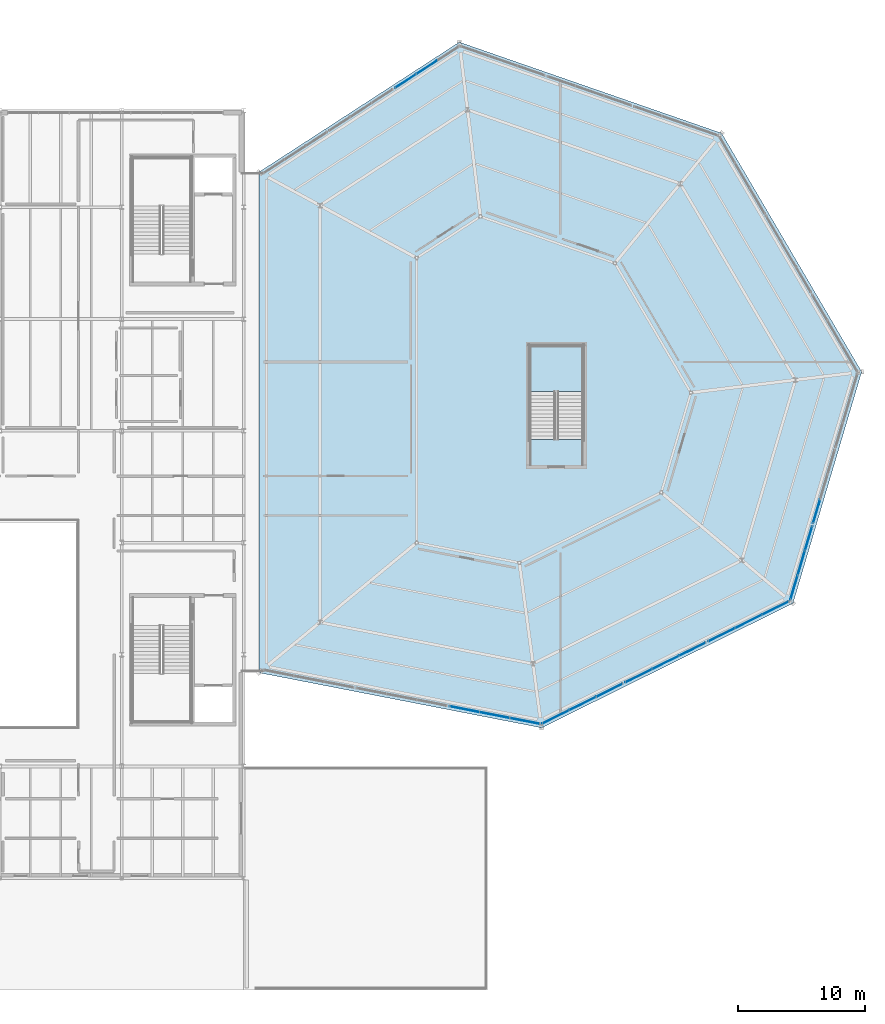
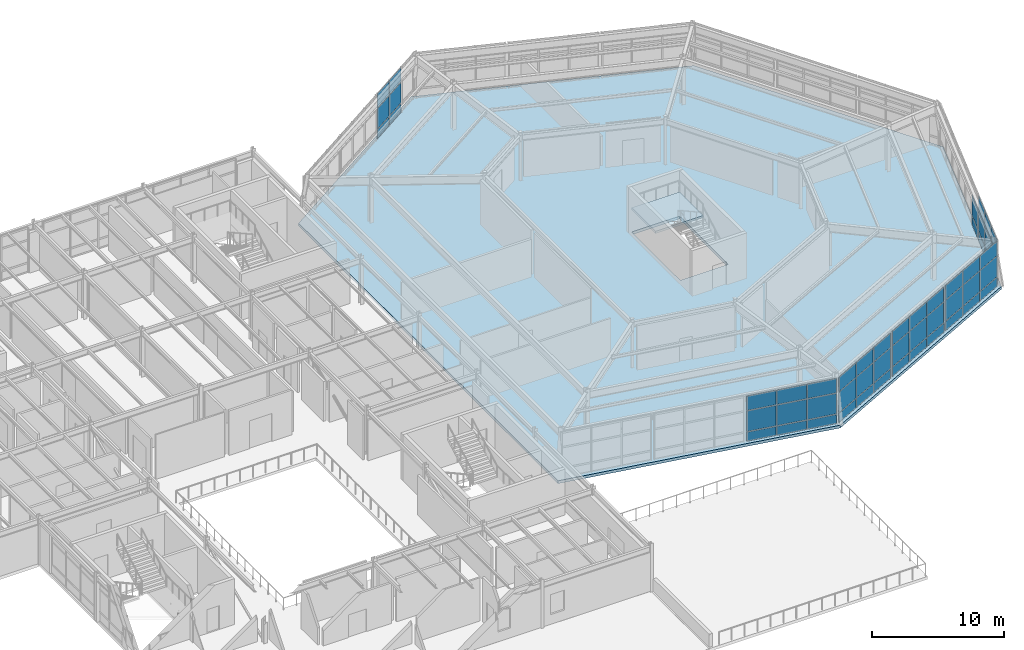
# One storey, part 42 of 69: 53 plates, 2 slabs, 8 elements without a shape of their own.
"""IFC4 building model written with IfcOpenShell, lengths in metres."""

from ifc_helpers import new_model, si_unit, direction, frame, origin, origin_2d, place, context, subcontext, project, spatial, polyline, rectangle, outline, extrude, material, layer, layer_set, type_object, element, aggregate, save


model = new_model("IFC4")

# Units and contexts
model_context = context("Model", 3, precision=1e-05, world=origin(), true_north=direction((0.0, 1.0)))
body_context = subcontext(model_context, "Body", "Model", "MODEL_VIEW")
ifc_project = project(units=[si_unit("LENGTHUNIT", "METRE"), si_unit("AREAUNIT", "SQUARE_METRE"), si_unit("VOLUMEUNIT", "CUBIC_METRE"), si_unit("PLANEANGLEUNIT", "RADIAN"), si_unit("MASSUNIT", "GRAM", prefix="KILO")], contexts=[model_context])

# Site, building, storey
site_placement = place(None, origin())
site = spatial("IfcSite", under=ifc_project, at=site_placement, CompositionType="ELEMENT")
building_placement = place(site_placement, origin())
building = spatial("IfcBuilding", under=site, at=building_placement, Name="Sarnbrook Museum", CompositionType="ELEMENT")
storey_placement = place(building_placement, frame((0.0, 0.0, 14.60009765625)))
storey = spatial("IfcBuildingStorey", under=building, at=storey_placement, Name="L03", CompositionType="ELEMENT", Elevation=14.60009765625)

# Curtain wall, plates
ifc_material_1 = material(Name="Thermally Broken Anodised Aluminium 6063-T6", Category="aluminium")
curtain_wall_type = type_object("IfcCurtainWallType", Name="CurtainWall_CrystalFacet", PredefinedType="NOTDEFINED", material=ifc_material_1)
curtain_wall_1_placement = place(storey_placement, origin())
curtain_wall_1 = element("IfcCurtainWall", 1, at=curtain_wall_1_placement, inside=storey, type_object=curtain_wall_type, Name="Crystal Hall Facet Curtain Wall L03-F1.3", PredefinedType="NOTDEFINED")
ifc_material_2 = material(Name="Double-Glazed Low-Iron Laminated Safety Glass", Category="glass")
ifc_layer_1 = layer(ifc_material_2, 0.031982421875)
ifc_layer_set_1 = layer_set([ifc_layer_1], Name="Double-Glazed Low-Iron Laminated Safety Glass")
plate_type_1 = type_object("IfcPlateType", Name="CW_GlazedPanel_32", PredefinedType="CURTAIN_PANEL", material=ifc_layer_set_1)
plate_1_placement = place(storey_placement, frame((136.556396484375, 61.316650390625, 1.875), z_axis=(-0.191314442097, -0.981528799499, 0.0), x_axis=(0.981528799499, -0.191314442097, 0.0)))
plate_1 = element("IfcPlate", 2, at=plate_1_placement, type_object=plate_type_1, Name="Crystal Hall Facet Curtain Wall L03-F1.3 Glazed Panel 1-2", PredefinedType="CURTAIN_PANEL", context=body_context, shape_type="SweptSolid", body=[
    extrude(rectangle(XDim=2.354248046875, YDim=1.8798828125, at=origin_2d()), origin(), (0.0, 0.0, 1.0), 0.031982421875),
])
plate_2_placement = place(storey_placement, frame((136.556396484375, 61.316650390625, 3.544921875), z_axis=(-0.191314442097, -0.981528799499, 0.0), x_axis=(0.981528799499, -0.191314442097, 0.0)))
plate_2 = element("IfcPlate", 3, at=plate_2_placement, type_object=plate_type_1, Name="Crystal Hall Facet Curtain Wall L03-F1.3 Glazed Panel 1-3", PredefinedType="CURTAIN_PANEL", context=body_context, shape_type="SweptSolid", body=[
    extrude(rectangle(XDim=2.354248046875, YDim=1.320068359375, at=origin_2d()), origin(), (0.0, 0.0, 1.0), 0.031982421875),
])
plate_3_placement = place(storey_placement, frame((138.940673828125, 60.851806640625, 1.875), z_axis=(-0.191314442097, -0.981528799499, 0.0), x_axis=(0.981528799499, -0.191314442097, 0.0)))
plate_3 = element("IfcPlate", 4, at=plate_3_placement, type_object=plate_type_1, Name="Crystal Hall Facet Curtain Wall L03-F1.3 Glazed Panel 2-2", PredefinedType="CURTAIN_PANEL", context=body_context, shape_type="SweptSolid", body=[
    extrude(rectangle(XDim=2.354248046875, YDim=1.8798828125, at=origin_2d()), origin(), (0.0, 0.0, 1.0), 0.031982421875),
])
plate_4_placement = place(storey_placement, frame((138.940673828125, 60.851806640625, 3.544921875), z_axis=(-0.191314442097, -0.981528799499, 0.0), x_axis=(0.981528799499, -0.191314442097, 0.0)))
plate_4 = element("IfcPlate", 5, at=plate_4_placement, type_object=plate_type_1, Name="Crystal Hall Facet Curtain Wall L03-F1.3 Glazed Panel 2-3", PredefinedType="CURTAIN_PANEL", context=body_context, shape_type="SweptSolid", body=[
    extrude(rectangle(XDim=2.354248046875, YDim=1.320068359375, at=origin_2d()), origin(), (0.0, 0.0, 1.0), 0.031982421875),
])
plate_5_placement = place(storey_placement, frame((141.3251953125, 60.38720703125, 1.875), z_axis=(-0.191314442097, -0.981528799499, 0.0), x_axis=(0.981528799499, -0.191314442097, 0.0)))
plate_5 = element("IfcPlate", 6, at=plate_5_placement, type_object=plate_type_1, Name="Crystal Hall Facet Curtain Wall L03-F1.3 Glazed Panel 3-2", PredefinedType="CURTAIN_PANEL", context=body_context, shape_type="SweptSolid", body=[
    extrude(rectangle(XDim=2.354248046875, YDim=1.8798828125, at=origin_2d()), origin(), (0.0, 0.0, 1.0), 0.031982421875),
])
plate_6_placement = place(storey_placement, frame((141.3251953125, 60.38720703125, 3.544921875), z_axis=(-0.191314442097, -0.981528799499, 0.0), x_axis=(0.981528799499, -0.191314442097, 0.0)))
plate_6 = element("IfcPlate", 7, at=plate_6_placement, type_object=plate_type_1, Name="Crystal Hall Facet Curtain Wall L03-F1.3 Glazed Panel 3-3", PredefinedType="CURTAIN_PANEL", context=body_context, shape_type="SweptSolid", body=[
    extrude(rectangle(XDim=2.354248046875, YDim=1.320068359375, at=origin_2d()), origin(), (0.0, 0.0, 1.0), 0.031982421875),
])

curtain_wall_2_placement = place(storey_placement, origin())
curtain_wall_2 = element("IfcCurtainWall", 8, at=curtain_wall_2_placement, inside=storey, type_object=curtain_wall_type, Name="Crystal Hall Facet Curtain Wall L03-F2.1", PredefinedType="NOTDEFINED")
plate_7_placement = place(storey_placement, frame((143.726318359375, 60.701416015625, 1.875), z_axis=(0.443730652987, -0.896160201973, 0.0), x_axis=(0.896160201973, 0.443730652987, 0.0)))
plate_7 = element("IfcPlate", 9, at=plate_7_placement, type_object=plate_type_1, Name="Crystal Hall Facet Curtain Wall L03-F2.1 Glazed Panel 1-2", PredefinedType="CURTAIN_PANEL", context=body_context, shape_type="SweptSolid", body=[
    extrude(rectangle(XDim=2.2998046875, YDim=1.8798828125, at=origin_2d()), origin(), (0.0, 0.0, 1.0), 0.031982421875),
])
plate_8_placement = place(storey_placement, frame((143.726318359375, 60.701416015625, 3.544921875), z_axis=(0.443730652987, -0.896160201973, 0.0), x_axis=(0.896160201973, 0.443730652987, 0.0)))
plate_8 = element("IfcPlate", 10, at=plate_8_placement, type_object=plate_type_1, Name="Crystal Hall Facet Curtain Wall L03-F2.1 Glazed Panel 1-3", PredefinedType="CURTAIN_PANEL", context=body_context, shape_type="SweptSolid", body=[
    extrude(rectangle(XDim=2.2998046875, YDim=1.320068359375, at=origin_2d()), origin(), (0.0, 0.0, 1.0), 0.031982421875),
])
plate_9_placement = place(storey_placement, frame((145.854736328125, 61.755126953125, 1.875), z_axis=(0.443730652987, -0.896160201973, 0.0), x_axis=(0.896160201973, 0.443730652987, 0.0)))
plate_9 = element("IfcPlate", 11, at=plate_9_placement, type_object=plate_type_1, Name="Crystal Hall Facet Curtain Wall L03-F2.1 Glazed Panel 2-2", PredefinedType="CURTAIN_PANEL", context=body_context, shape_type="SweptSolid", body=[
    extrude(rectangle(XDim=2.2998046875, YDim=1.8798828125, at=origin_2d()), origin(), (0.0, 0.0, 1.0), 0.031982421875),
])
plate_10_placement = place(storey_placement, frame((145.854736328125, 61.755126953125, 3.544921875), z_axis=(0.443730652987, -0.896160201973, 0.0), x_axis=(0.896160201973, 0.443730652987, 0.0)))
plate_10 = element("IfcPlate", 12, at=plate_10_placement, type_object=plate_type_1, Name="Crystal Hall Facet Curtain Wall L03-F2.1 Glazed Panel 2-3", PredefinedType="CURTAIN_PANEL", context=body_context, shape_type="SweptSolid", body=[
    extrude(rectangle(XDim=2.2998046875, YDim=1.320068359375, at=origin_2d()), origin(), (0.0, 0.0, 1.0), 0.031982421875),
])
plate_11_placement = place(storey_placement, frame((147.98291015625, 62.808837890625, 1.875), z_axis=(0.443730652987, -0.896160201973, 0.0), x_axis=(0.896160201973, 0.443730652987, 0.0)))
plate_11 = element("IfcPlate", 13, at=plate_11_placement, type_object=plate_type_1, Name="Crystal Hall Facet Curtain Wall L03-F2.1 Glazed Panel 3-2", PredefinedType="CURTAIN_PANEL", context=body_context, shape_type="SweptSolid", body=[
    extrude(rectangle(XDim=2.2998046875, YDim=1.8798828125, at=origin_2d()), origin(), (0.0, 0.0, 1.0), 0.031982421875),
])
plate_12_placement = place(storey_placement, frame((147.98291015625, 62.808837890625, 3.544921875), z_axis=(0.443730652987, -0.896160201973, 0.0), x_axis=(0.896160201973, 0.443730652987, 0.0)))
plate_12 = element("IfcPlate", 14, at=plate_12_placement, type_object=plate_type_1, Name="Crystal Hall Facet Curtain Wall L03-F2.1 Glazed Panel 3-3", PredefinedType="CURTAIN_PANEL", context=body_context, shape_type="SweptSolid", body=[
    extrude(rectangle(XDim=2.2998046875, YDim=1.320068359375, at=origin_2d()), origin(), (0.0, 0.0, 1.0), 0.031982421875),
])

curtain_wall_3_placement = place(storey_placement, origin())
curtain_wall_3 = element("IfcCurtainWall", 15, at=curtain_wall_3_placement, inside=storey, type_object=curtain_wall_type, Name="Crystal Hall Facet Curtain Wall L03-F2.2", PredefinedType="NOTDEFINED")
plate_13_placement = place(storey_placement, frame((150.25439453125, 63.93359375, 1.875), z_axis=(0.443730652987, -0.896160201973, 0.0), x_axis=(0.896160201973, 0.443730652987, 0.0)))
plate_13 = element("IfcPlate", 16, at=plate_13_placement, type_object=plate_type_1, Name="Crystal Hall Facet Curtain Wall L03-F2.2 Glazed Panel 1-2", PredefinedType="CURTAIN_PANEL", context=body_context, shape_type="SweptSolid", body=[
    extrude(rectangle(XDim=2.2998046875, YDim=1.8798828125, at=origin_2d()), origin(), (0.0, 0.0, 1.0), 0.031982421875),
])
plate_14_placement = place(storey_placement, frame((150.25439453125, 63.93359375, 3.544921875), z_axis=(0.443730652987, -0.896160201973, 0.0), x_axis=(0.896160201973, 0.443730652987, 0.0)))
plate_14 = element("IfcPlate", 17, at=plate_14_placement, type_object=plate_type_1, Name="Crystal Hall Facet Curtain Wall L03-F2.2 Glazed Panel 1-3", PredefinedType="CURTAIN_PANEL", context=body_context, shape_type="SweptSolid", body=[
    extrude(rectangle(XDim=2.2998046875, YDim=1.320068359375, at=origin_2d()), origin(), (0.0, 0.0, 1.0), 0.031982421875),
])
plate_15_placement = place(storey_placement, frame((152.382568359375, 64.9873046875, 1.875), z_axis=(0.443730652987, -0.896160201973, 0.0), x_axis=(0.896160201973, 0.443730652987, 0.0)))
plate_15 = element("IfcPlate", 18, at=plate_15_placement, type_object=plate_type_1, Name="Crystal Hall Facet Curtain Wall L03-F2.2 Glazed Panel 2-2", PredefinedType="CURTAIN_PANEL", context=body_context, shape_type="SweptSolid", body=[
    extrude(rectangle(XDim=2.2998046875, YDim=1.8798828125, at=origin_2d()), origin(), (0.0, 0.0, 1.0), 0.031982421875),
])
plate_16_placement = place(storey_placement, frame((152.382568359375, 64.9873046875, 3.544921875), z_axis=(0.443730652987, -0.896160201973, 0.0), x_axis=(0.896160201973, 0.443730652987, 0.0)))
plate_16 = element("IfcPlate", 19, at=plate_16_placement, type_object=plate_type_1, Name="Crystal Hall Facet Curtain Wall L03-F2.2 Glazed Panel 2-3", PredefinedType="CURTAIN_PANEL", context=body_context, shape_type="SweptSolid", body=[
    extrude(rectangle(XDim=2.2998046875, YDim=1.320068359375, at=origin_2d()), origin(), (0.0, 0.0, 1.0), 0.031982421875),
])
plate_17_placement = place(storey_placement, frame((154.5107421875, 66.041259765625, 1.875), z_axis=(0.443730652987, -0.896160201973, 0.0), x_axis=(0.896160201973, 0.443730652987, 0.0)))
plate_17 = element("IfcPlate", 20, at=plate_17_placement, type_object=plate_type_1, Name="Crystal Hall Facet Curtain Wall L03-F2.2 Glazed Panel 3-2", PredefinedType="CURTAIN_PANEL", context=body_context, shape_type="SweptSolid", body=[
    extrude(rectangle(XDim=2.2998046875, YDim=1.8798828125, at=origin_2d()), origin(), (0.0, 0.0, 1.0), 0.031982421875),
])
plate_18_placement = place(storey_placement, frame((154.5107421875, 66.041259765625, 3.544921875), z_axis=(0.443730652987, -0.896160201973, 0.0), x_axis=(0.896160201973, 0.443730652987, 0.0)))
plate_18 = element("IfcPlate", 21, at=plate_18_placement, type_object=plate_type_1, Name="Crystal Hall Facet Curtain Wall L03-F2.2 Glazed Panel 3-3", PredefinedType="CURTAIN_PANEL", context=body_context, shape_type="SweptSolid", body=[
    extrude(rectangle(XDim=2.2998046875, YDim=1.320068359375, at=origin_2d()), origin(), (0.0, 0.0, 1.0), 0.031982421875),
])

curtain_wall_4_placement = place(storey_placement, origin())
curtain_wall_4 = element("IfcCurtainWall", 22, at=curtain_wall_4_placement, inside=storey, type_object=curtain_wall_type, Name="Crystal Hall Facet Curtain Wall L03-F2.3", PredefinedType="NOTDEFINED")
plate_19_placement = place(storey_placement, frame((156.782470703125, 67.166015625, 1.875), z_axis=(0.443730652987, -0.896160201973, 0.0), x_axis=(0.896160201973, 0.443730652987, 0.0)))
plate_19 = element("IfcPlate", 23, at=plate_19_placement, type_object=plate_type_1, Name="Crystal Hall Facet Curtain Wall L03-F2.3 Glazed Panel 1-2", PredefinedType="CURTAIN_PANEL", context=body_context, shape_type="SweptSolid", body=[
    extrude(rectangle(XDim=2.2998046875, YDim=1.8798828125, at=origin_2d()), origin(), (0.0, 0.0, 1.0), 0.031982421875),
])
plate_20_placement = place(storey_placement, frame((156.782470703125, 67.166015625, 3.544921875), z_axis=(0.443730652987, -0.896160201973, 0.0), x_axis=(0.896160201973, 0.443730652987, 0.0)))
plate_20 = element("IfcPlate", 24, at=plate_20_placement, type_object=plate_type_1, Name="Crystal Hall Facet Curtain Wall L03-F2.3 Glazed Panel 1-3", PredefinedType="CURTAIN_PANEL", context=body_context, shape_type="SweptSolid", body=[
    extrude(rectangle(XDim=2.2998046875, YDim=1.320068359375, at=origin_2d()), origin(), (0.0, 0.0, 1.0), 0.031982421875),
])
plate_21_placement = place(storey_placement, frame((158.91064453125, 68.2197265625, 1.875), z_axis=(0.443730652987, -0.896160201973, 0.0), x_axis=(0.896160201973, 0.443730652987, 0.0)))
plate_21 = element("IfcPlate", 25, at=plate_21_placement, type_object=plate_type_1, Name="Crystal Hall Facet Curtain Wall L03-F2.3 Glazed Panel 2-2", PredefinedType="CURTAIN_PANEL", context=body_context, shape_type="SweptSolid", body=[
    extrude(rectangle(XDim=2.2998046875, YDim=1.8798828125, at=origin_2d()), origin(), (0.0, 0.0, 1.0), 0.031982421875),
])
plate_22_placement = place(storey_placement, frame((158.91064453125, 68.2197265625, 3.544921875), z_axis=(0.443730652987, -0.896160201973, 0.0), x_axis=(0.896160201973, 0.443730652987, 0.0)))
plate_22 = element("IfcPlate", 26, at=plate_22_placement, type_object=plate_type_1, Name="Crystal Hall Facet Curtain Wall L03-F2.3 Glazed Panel 2-3", PredefinedType="CURTAIN_PANEL", context=body_context, shape_type="SweptSolid", body=[
    extrude(rectangle(XDim=2.2998046875, YDim=1.320068359375, at=origin_2d()), origin(), (0.0, 0.0, 1.0), 0.031982421875),
])
plate_23_placement = place(storey_placement, frame((161.038818359375, 69.2734375, 1.875), z_axis=(0.443730652987, -0.896160201973, 0.0), x_axis=(0.896160201973, 0.443730652987, 0.0)))
plate_23 = element("IfcPlate", 27, at=plate_23_placement, type_object=plate_type_1, Name="Crystal Hall Facet Curtain Wall L03-F2.3 Glazed Panel 3-2", PredefinedType="CURTAIN_PANEL", context=body_context, shape_type="SweptSolid", body=[
    extrude(rectangle(XDim=2.2998046875, YDim=1.8798828125, at=origin_2d()), origin(), (0.0, 0.0, 1.0), 0.031982421875),
])
plate_24_placement = place(storey_placement, frame((161.038818359375, 69.2734375, 3.544921875), z_axis=(0.443730652987, -0.896160201973, 0.0), x_axis=(0.896160201973, 0.443730652987, 0.0)))
plate_24 = element("IfcPlate", 28, at=plate_24_placement, type_object=plate_type_1, Name="Crystal Hall Facet Curtain Wall L03-F2.3 Glazed Panel 3-3", PredefinedType="CURTAIN_PANEL", context=body_context, shape_type="SweptSolid", body=[
    extrude(rectangle(XDim=2.2998046875, YDim=1.320068359375, at=origin_2d()), origin(), (0.0, 0.0, 1.0), 0.031982421875),
])

curtain_wall_5_placement = place(storey_placement, origin())
curtain_wall_5 = element("IfcCurtainWall", 29, at=curtain_wall_5_placement, inside=storey, type_object=curtain_wall_type, Name="Crystal Hall Facet Curtain Wall L03-F3.1", PredefinedType="NOTDEFINED")
plate_25_placement = place(storey_placement, frame((162.482177734375, 70.881103515625, 1.875), z_axis=(0.958645365985, -0.284603341996, 0.0), x_axis=(0.284603341996, 0.958645365985, 0.0)))
plate_25 = element("IfcPlate", 30, at=plate_25_placement, type_object=plate_type_1, Name="Crystal Hall Facet Curtain Wall L03-F3.1 Glazed Panel 1-2", PredefinedType="CURTAIN_PANEL", context=body_context, shape_type="SweptSolid", body=[
    extrude(rectangle(XDim=1.95556640625, YDim=1.8798828125, at=origin_2d()), origin(), (0.0, 0.0, 1.0), 0.031982421875),
])
plate_26_placement = place(storey_placement, frame((162.482177734375, 70.881103515625, 3.544921875), z_axis=(0.958645365985, -0.284603341996, 0.0), x_axis=(0.284603341996, 0.958645365985, 0.0)))
plate_26 = element("IfcPlate", 31, at=plate_26_placement, type_object=plate_type_1, Name="Crystal Hall Facet Curtain Wall L03-F3.1 Glazed Panel 1-3", PredefinedType="CURTAIN_PANEL", context=body_context, shape_type="SweptSolid", body=[
    extrude(rectangle(XDim=1.95556640625, YDim=1.320068359375, at=origin_2d()), origin(), (0.0, 0.0, 1.0), 0.031982421875),
])
plate_27_placement = place(storey_placement, frame((163.06005859375, 72.82763671875, 1.875), z_axis=(0.958645365985, -0.284603341996, 0.0), x_axis=(0.284603341996, 0.958645365985, 0.0)))
plate_27 = element("IfcPlate", 32, at=plate_27_placement, type_object=plate_type_1, Name="Crystal Hall Facet Curtain Wall L03-F3.1 Glazed Panel 2-2", PredefinedType="CURTAIN_PANEL", context=body_context, shape_type="SweptSolid", body=[
    extrude(rectangle(XDim=1.95556640625, YDim=1.8798828125, at=origin_2d()), origin(), (0.0, 0.0, 1.0), 0.031982421875),
])
plate_28_placement = place(storey_placement, frame((163.06005859375, 72.82763671875, 3.544921875), z_axis=(0.958645365985, -0.284603341996, 0.0), x_axis=(0.284603341996, 0.958645365985, 0.0)))
plate_28 = element("IfcPlate", 33, at=plate_28_placement, type_object=plate_type_1, Name="Crystal Hall Facet Curtain Wall L03-F3.1 Glazed Panel 2-3", PredefinedType="CURTAIN_PANEL", context=body_context, shape_type="SweptSolid", body=[
    extrude(rectangle(XDim=1.95556640625, YDim=1.320068359375, at=origin_2d()), origin(), (0.0, 0.0, 1.0), 0.031982421875),
])
plate_29_placement = place(storey_placement, frame((163.637939453125, 74.77392578125, 1.875), z_axis=(0.958645365985, -0.284603341996, 0.0), x_axis=(0.284603341996, 0.958645365985, 0.0)))
plate_29 = element("IfcPlate", 34, at=plate_29_placement, type_object=plate_type_1, Name="Crystal Hall Facet Curtain Wall L03-F3.1 Glazed Panel 3-2", PredefinedType="CURTAIN_PANEL", context=body_context, shape_type="SweptSolid", body=[
    extrude(rectangle(XDim=1.95556640625, YDim=1.8798828125, at=origin_2d()), origin(), (0.0, 0.0, 1.0), 0.031982421875),
])
plate_30_placement = place(storey_placement, frame((163.637939453125, 74.77392578125, 3.544921875), z_axis=(0.958645365985, -0.284603341996, 0.0), x_axis=(0.284603341996, 0.958645365985, 0.0)))
plate_30 = element("IfcPlate", 35, at=plate_30_placement, type_object=plate_type_1, Name="Crystal Hall Facet Curtain Wall L03-F3.1 Glazed Panel 3-3", PredefinedType="CURTAIN_PANEL", context=body_context, shape_type="SweptSolid", body=[
    extrude(rectangle(XDim=1.95556640625, YDim=1.320068359375, at=origin_2d()), origin(), (0.0, 0.0, 1.0), 0.031982421875),
])

# Curtain wall, plate
curtain_wall_6_placement = place(storey_placement, origin())
curtain_wall_6 = element("IfcCurtainWall", 36, at=curtain_wall_6_placement, inside=storey, type_object=curtain_wall_type, Name="Crystal Hall Facet Curtain Wall L03-F3.2", PredefinedType="NOTDEFINED")
plate_31_placement = place(storey_placement, frame((164.26123046875, 76.873779296875, 1.875), z_axis=(0.958645365985, -0.284603341996, 0.0), x_axis=(0.284603341996, 0.958645365985, 0.0)))
plate_31 = element("IfcPlate", 37, at=plate_31_placement, type_object=plate_type_1, Name="Crystal Hall Facet Curtain Wall L03-F3.2 Glazed Panel 1-2", PredefinedType="CURTAIN_PANEL", context=body_context, shape_type="SweptSolid", body=[
    extrude(rectangle(XDim=1.95556640625, YDim=1.8798828125, at=origin_2d()), origin(), (0.0, 0.0, 1.0), 0.031982421875),
])

# Curtain wall, plates
curtain_wall_7_placement = place(storey_placement, origin())
curtain_wall_7 = element("IfcCurtainWall", 38, at=curtain_wall_7_placement, inside=storey, type_object=curtain_wall_type, Name="Crystal Hall Facet Curtain Wall L03-F6.1", PredefinedType="NOTDEFINED")
plate_32_placement = place(storey_placement, frame((133.61181640625, 111.795654296875, 1.875), z_axis=(-0.54428459897, 0.838900634953, 0.0), x_axis=(-0.838900634953, -0.54428459897, 0.0)))
plate_32 = element("IfcPlate", 39, at=plate_32_placement, type_object=plate_type_1, Name="Crystal Hall Facet Curtain Wall L03-F6.1 Glazed Panel 2-2", PredefinedType="CURTAIN_PANEL", context=body_context, shape_type="SweptSolid", body=[
    extrude(rectangle(XDim=1.928955078125, YDim=1.8798828125, at=origin_2d()), origin(), (0.0, 0.0, 1.0), 0.031982421875),
])
plate_33_placement = place(storey_placement, frame((133.61181640625, 111.795654296875, 3.544921875), z_axis=(-0.54428459897, 0.838900634953, 0.0), x_axis=(-0.838900634953, -0.54428459897, 0.0)))
plate_33 = element("IfcPlate", 40, at=plate_33_placement, type_object=plate_type_1, Name="Crystal Hall Facet Curtain Wall L03-F6.1 Glazed Panel 2-3", PredefinedType="CURTAIN_PANEL", context=body_context, shape_type="SweptSolid", body=[
    extrude(rectangle(XDim=1.928955078125, YDim=1.320068359375, at=origin_2d()), origin(), (0.0, 0.0, 1.0), 0.031982421875),
])
plate_34_placement = place(storey_placement, frame((131.930908203125, 110.705078125, 1.875), z_axis=(-0.54428459897, 0.838900634953, 0.0), x_axis=(-0.838900634953, -0.54428459897, 0.0)))
plate_34 = element("IfcPlate", 41, at=plate_34_placement, type_object=plate_type_1, Name="Crystal Hall Facet Curtain Wall L03-F6.1 Glazed Panel 3-2", PredefinedType="CURTAIN_PANEL", context=body_context, shape_type="SweptSolid", body=[
    extrude(rectangle(XDim=1.928955078125, YDim=1.8798828125, at=origin_2d()), origin(), (0.0, 0.0, 1.0), 0.031982421875),
])
plate_35_placement = place(storey_placement, frame((131.930908203125, 110.705078125, 3.544921875), z_axis=(-0.54428459897, 0.838900634953, 0.0), x_axis=(-0.838900634953, -0.54428459897, 0.0)))
plate_35 = element("IfcPlate", 42, at=plate_35_placement, type_object=plate_type_1, Name="Crystal Hall Facet Curtain Wall L03-F6.1 Glazed Panel 3-3", PredefinedType="CURTAIN_PANEL", context=body_context, shape_type="SweptSolid", body=[
    extrude(rectangle(XDim=1.928955078125, YDim=1.320068359375, at=origin_2d()), origin(), (0.0, 0.0, 1.0), 0.031982421875),
])

# Plate
ifc_material_3 = material(Name="Patinated Architectural Bronze")
ifc_layer_2 = layer(ifc_material_3, 0.044921875)
ifc_layer_set_2 = layer_set([ifc_layer_2], Name="Patinated Architectural Bronze")
plate_type_2 = type_object("IfcPlateType", Name="CW_SpandrelPanel_45", PredefinedType="CURTAIN_PANEL", material=ifc_layer_set_2)
plate_36_placement = place(storey_placement, frame((136.5576171875, 61.322998046875, 0.449951171875), z_axis=(-0.191314442097, -0.981528799499, 0.0), x_axis=(0.981528799499, -0.191314442097, 0.0)))
plate_36 = element("IfcPlate", 43, at=plate_36_placement, type_object=plate_type_2, Name="Crystal Hall Facet Curtain Wall L03-F1.3 Spandrel Panel 1-1", PredefinedType="CURTAIN_PANEL", context=body_context, shape_type="SweptSolid", body=[
    extrude(rectangle(XDim=2.354248046875, YDim=0.830078125, at=origin_2d()), origin(), (0.0, 0.0, 1.0), 0.044921875),
])

plate_37_placement = place(storey_placement, frame((138.94189453125, 60.858154296875, 0.449951171875), z_axis=(-0.191314442097, -0.981528799499, 0.0), x_axis=(0.981528799499, -0.191314442097, 0.0)))
plate_37 = element("IfcPlate", 44, at=plate_37_placement, type_object=plate_type_2, Name="Crystal Hall Facet Curtain Wall L03-F1.3 Spandrel Panel 2-1", PredefinedType="CURTAIN_PANEL", context=body_context, shape_type="SweptSolid", body=[
    extrude(rectangle(XDim=2.354248046875, YDim=0.830078125, at=origin_2d()), origin(), (0.0, 0.0, 1.0), 0.044921875),
])

plate_38_placement = place(storey_placement, frame((141.326416015625, 60.3935546875, 0.449951171875), z_axis=(-0.191314442097, -0.981528799499, 0.0), x_axis=(0.981528799499, -0.191314442097, 0.0)))
plate_38 = element("IfcPlate", 45, at=plate_38_placement, type_object=plate_type_2, Name="Crystal Hall Facet Curtain Wall L03-F1.3 Spandrel Panel 3-1", PredefinedType="CURTAIN_PANEL", context=body_context, shape_type="SweptSolid", body=[
    extrude(rectangle(XDim=2.354248046875, YDim=0.830078125, at=origin_2d()), origin(), (0.0, 0.0, 1.0), 0.044921875),
])

aggregate(curtain_wall_1, [plate_36, plate_1, plate_2, plate_37, plate_3, plate_4, plate_38, plate_5, plate_6])

plate_39_placement = place(storey_placement, frame((143.723388671875, 60.70703125, 0.449951171875), z_axis=(0.443730652987, -0.896160201973, 0.0), x_axis=(0.896160201973, 0.443730652987, 0.0)))
plate_39 = element("IfcPlate", 46, at=plate_39_placement, type_object=plate_type_2, Name="Crystal Hall Facet Curtain Wall L03-F2.1 Spandrel Panel 1-1", PredefinedType="CURTAIN_PANEL", context=body_context, shape_type="SweptSolid", body=[
    extrude(rectangle(XDim=2.2998046875, YDim=0.830078125, at=origin_2d()), origin(), (0.0, 0.0, 1.0), 0.044921875),
])

plate_40_placement = place(storey_placement, frame((145.851806640625, 61.7607421875, 0.449951171875), z_axis=(0.443730652987, -0.896160201973, 0.0), x_axis=(0.896160201973, 0.443730652987, 0.0)))
plate_40 = element("IfcPlate", 47, at=plate_40_placement, type_object=plate_type_2, Name="Crystal Hall Facet Curtain Wall L03-F2.1 Spandrel Panel 2-1", PredefinedType="CURTAIN_PANEL", context=body_context, shape_type="SweptSolid", body=[
    extrude(rectangle(XDim=2.2998046875, YDim=0.830078125, at=origin_2d()), origin(), (0.0, 0.0, 1.0), 0.044921875),
])

plate_41_placement = place(storey_placement, frame((147.97998046875, 62.814453125, 0.449951171875), z_axis=(0.443730652987, -0.896160201973, 0.0), x_axis=(0.896160201973, 0.443730652987, 0.0)))
plate_41 = element("IfcPlate", 48, at=plate_41_placement, type_object=plate_type_2, Name="Crystal Hall Facet Curtain Wall L03-F2.1 Spandrel Panel 3-1", PredefinedType="CURTAIN_PANEL", context=body_context, shape_type="SweptSolid", body=[
    extrude(rectangle(XDim=2.2998046875, YDim=0.830078125, at=origin_2d()), origin(), (0.0, 0.0, 1.0), 0.044921875),
])

aggregate(curtain_wall_2, [plate_39, plate_7, plate_8, plate_40, plate_9, plate_10, plate_41, plate_11, plate_12])

plate_42_placement = place(storey_placement, frame((150.25146484375, 63.939208984375, 0.449951171875), z_axis=(0.443730652987, -0.896160201973, 0.0), x_axis=(0.896160201973, 0.443730652987, 0.0)))
plate_42 = element("IfcPlate", 49, at=plate_42_placement, type_object=plate_type_2, Name="Crystal Hall Facet Curtain Wall L03-F2.2 Spandrel Panel 1-1", PredefinedType="CURTAIN_PANEL", context=body_context, shape_type="SweptSolid", body=[
    extrude(rectangle(XDim=2.2998046875, YDim=0.830078125, at=origin_2d()), origin(), (0.0, 0.0, 1.0), 0.044921875),
])

plate_43_placement = place(storey_placement, frame((152.379638671875, 64.992919921875, 0.449951171875), z_axis=(0.443730652987, -0.896160201973, 0.0), x_axis=(0.896160201973, 0.443730652987, 0.0)))
plate_43 = element("IfcPlate", 50, at=plate_43_placement, type_object=plate_type_2, Name="Crystal Hall Facet Curtain Wall L03-F2.2 Spandrel Panel 2-1", PredefinedType="CURTAIN_PANEL", context=body_context, shape_type="SweptSolid", body=[
    extrude(rectangle(XDim=2.2998046875, YDim=0.830078125, at=origin_2d()), origin(), (0.0, 0.0, 1.0), 0.044921875),
])

plate_44_placement = place(storey_placement, frame((154.5078125, 66.046875, 0.449951171875), z_axis=(0.443730652987, -0.896160201973, 0.0), x_axis=(0.896160201973, 0.443730652987, 0.0)))
plate_44 = element("IfcPlate", 51, at=plate_44_placement, type_object=plate_type_2, Name="Crystal Hall Facet Curtain Wall L03-F2.2 Spandrel Panel 3-1", PredefinedType="CURTAIN_PANEL", context=body_context, shape_type="SweptSolid", body=[
    extrude(rectangle(XDim=2.2998046875, YDim=0.830078125, at=origin_2d()), origin(), (0.0, 0.0, 1.0), 0.044921875),
])

aggregate(curtain_wall_3, [plate_42, plate_13, plate_14, plate_43, plate_15, plate_16, plate_44, plate_17, plate_18])

plate_45_placement = place(storey_placement, frame((156.779541015625, 67.171630859375, 0.449951171875), z_axis=(0.443730652987, -0.896160201973, 0.0), x_axis=(0.896160201973, 0.443730652987, 0.0)))
plate_45 = element("IfcPlate", 52, at=plate_45_placement, type_object=plate_type_2, Name="Crystal Hall Facet Curtain Wall L03-F2.3 Spandrel Panel 1-1", PredefinedType="CURTAIN_PANEL", context=body_context, shape_type="SweptSolid", body=[
    extrude(rectangle(XDim=2.2998046875, YDim=0.830078125, at=origin_2d()), origin(), (0.0, 0.0, 1.0), 0.044921875),
])

plate_46_placement = place(storey_placement, frame((158.90771484375, 68.225341796875, 0.449951171875), z_axis=(0.443730652987, -0.896160201973, 0.0), x_axis=(0.896160201973, 0.443730652987, 0.0)))
plate_46 = element("IfcPlate", 53, at=plate_46_placement, type_object=plate_type_2, Name="Crystal Hall Facet Curtain Wall L03-F2.3 Spandrel Panel 2-1", PredefinedType="CURTAIN_PANEL", context=body_context, shape_type="SweptSolid", body=[
    extrude(rectangle(XDim=2.2998046875, YDim=0.830078125, at=origin_2d()), origin(), (0.0, 0.0, 1.0), 0.044921875),
])

plate_47_placement = place(storey_placement, frame((161.035888671875, 69.279052734375, 0.449951171875), z_axis=(0.443730652987, -0.896160201973, 0.0), x_axis=(0.896160201973, 0.443730652987, 0.0)))
plate_47 = element("IfcPlate", 54, at=plate_47_placement, type_object=plate_type_2, Name="Crystal Hall Facet Curtain Wall L03-F2.3 Spandrel Panel 3-1", PredefinedType="CURTAIN_PANEL", context=body_context, shape_type="SweptSolid", body=[
    extrude(rectangle(XDim=2.2998046875, YDim=0.830078125, at=origin_2d()), origin(), (0.0, 0.0, 1.0), 0.044921875),
])

aggregate(curtain_wall_4, [plate_45, plate_19, plate_20, plate_46, plate_21, plate_22, plate_47, plate_23, plate_24])

plate_48_placement = place(storey_placement, frame((162.47607421875, 70.8828125, 0.449951171875), z_axis=(0.958645365985, -0.284603341996, 0.0), x_axis=(0.284603341996, 0.958645365985, 0.0)))
plate_48 = element("IfcPlate", 55, at=plate_48_placement, type_object=plate_type_2, Name="Crystal Hall Facet Curtain Wall L03-F3.1 Spandrel Panel 1-1", PredefinedType="CURTAIN_PANEL", context=body_context, shape_type="SweptSolid", body=[
    extrude(rectangle(XDim=1.95556640625, YDim=0.830078125, at=origin_2d()), origin(), (0.0, 0.0, 1.0), 0.044921875),
])

plate_49_placement = place(storey_placement, frame((163.053955078125, 72.829345703125, 0.449951171875), z_axis=(0.958645365985, -0.284603341996, 0.0), x_axis=(0.284603341996, 0.958645365985, 0.0)))
plate_49 = element("IfcPlate", 56, at=plate_49_placement, type_object=plate_type_2, Name="Crystal Hall Facet Curtain Wall L03-F3.1 Spandrel Panel 2-1", PredefinedType="CURTAIN_PANEL", context=body_context, shape_type="SweptSolid", body=[
    extrude(rectangle(XDim=1.95556640625, YDim=0.830078125, at=origin_2d()), origin(), (0.0, 0.0, 1.0), 0.044921875),
])

plate_50_placement = place(storey_placement, frame((163.6318359375, 74.775634765625, 0.449951171875), z_axis=(0.958645365985, -0.284603341996, 0.0), x_axis=(0.284603341996, 0.958645365985, 0.0)))
plate_50 = element("IfcPlate", 57, at=plate_50_placement, type_object=plate_type_2, Name="Crystal Hall Facet Curtain Wall L03-F3.1 Spandrel Panel 3-1", PredefinedType="CURTAIN_PANEL", context=body_context, shape_type="SweptSolid", body=[
    extrude(rectangle(XDim=1.95556640625, YDim=0.830078125, at=origin_2d()), origin(), (0.0, 0.0, 1.0), 0.044921875),
])

aggregate(curtain_wall_5, [plate_48, plate_25, plate_26, plate_49, plate_27, plate_28, plate_50, plate_29, plate_30])

plate_51_placement = place(storey_placement, frame((164.255126953125, 76.87548828125, 0.449951171875), z_axis=(0.958645365985, -0.284603341996, 0.0), x_axis=(0.284603341996, 0.958645365985, 0.0)))
plate_51 = element("IfcPlate", 58, at=plate_51_placement, type_object=plate_type_2, Name="Crystal Hall Facet Curtain Wall L03-F3.2 Spandrel Panel 1-1", PredefinedType="CURTAIN_PANEL", context=body_context, shape_type="SweptSolid", body=[
    extrude(rectangle(XDim=1.95556640625, YDim=0.830078125, at=origin_2d()), origin(), (0.0, 0.0, 1.0), 0.044921875),
])

aggregate(curtain_wall_6, [plate_51, plate_31])

plate_52_placement = place(storey_placement, frame((133.615234375, 111.790283203125, 0.449951171875), z_axis=(-0.54428459897, 0.838900634953, 0.0), x_axis=(-0.838900634953, -0.54428459897, 0.0)))
plate_52 = element("IfcPlate", 59, at=plate_52_placement, type_object=plate_type_2, Name="Crystal Hall Facet Curtain Wall L03-F6.1 Spandrel Panel 2-1", PredefinedType="CURTAIN_PANEL", context=body_context, shape_type="SweptSolid", body=[
    extrude(rectangle(XDim=1.928955078125, YDim=0.830078125, at=origin_2d()), origin(), (0.0, 0.0, 1.0), 0.044921875),
])

plate_53_placement = place(storey_placement, frame((131.934326171875, 110.69970703125, 0.449951171875), z_axis=(-0.54428459897, 0.838900634953, 0.0), x_axis=(-0.838900634953, -0.54428459897, 0.0)))
plate_53 = element("IfcPlate", 60, at=plate_53_placement, type_object=plate_type_2, Name="Crystal Hall Facet Curtain Wall L03-F6.1 Spandrel Panel 3-1", PredefinedType="CURTAIN_PANEL", context=body_context, shape_type="SweptSolid", body=[
    extrude(rectangle(XDim=1.928955078125, YDim=0.830078125, at=origin_2d()), origin(), (0.0, 0.0, 1.0), 0.044921875),
])

aggregate(curtain_wall_7, [plate_52, plate_32, plate_33, plate_53, plate_34, plate_35])

# Slab
ifc_material_4 = material(Name="Concrete N40 (AS 3600, f'c = 40 MPa)", Category="concrete")
ifc_layer_3 = layer(ifc_material_4, 0.260009765625)
ifc_layer_set_3 = layer_set([ifc_layer_3], Name="Concrete N40 (AS 3600, f'c = 40 MPa)")
slab_type_1 = type_object("IfcSlabType", Name="FloorSlab_260", PredefinedType="FLOOR", material=ifc_layer_set_3)
slab_1_placement = place(storey_placement, frame((0.0, 0.0, -0.260009765625)))
element("IfcSlab", 61, at=slab_1_placement, inside=storey, type_object=slab_type_1, Name="V1 Structural Slab L03", PredefinedType="FLOOR", context=body_context, shape_type="SweptSolid", body=[
    extrude(outline(polyline([(136.15869140625, 113.79052734375), (156.798828125, 106.623779296875), (167.817626953125, 87.843994140625), (162.4111328125, 69.632568359375), (142.63330078125, 59.839599609375), (120.385009765625, 64.17626953125), (120.385009765625, 103.556396484375), (136.15869140625, 113.79052734375)]), holes=[polyline([(145.89990234375, 82.5205078125), (141.699951171875, 82.5205078125), (141.699951171875, 89.89990234375), (145.89990234375, 89.89990234375), (145.89990234375, 82.5205078125)])]), origin(), (0.0, 0.0, 1.0), 0.260009765625),
])

# Stair, slab
stair_type = type_object("IfcStairType", Name="Stair_ST07", PredefinedType="HALF_TURN_STAIR", material=ifc_material_4)
stair_placement = place(storey_placement, origin())
stair = element("IfcStair", 62, at=stair_placement, inside=storey, type_object=stair_type, Name="L03 Exit Stair ST7", PredefinedType="HALF_TURN_STAIR")
ifc_layer_4 = layer(ifc_material_4, 0.199951171875)
ifc_layer_set_4 = layer_set([ifc_layer_4], Name="Concrete N40 (AS 3600, f'c = 40 MPa)")
slab_type_2 = type_object("IfcSlabType", Name="Landing_200", PredefinedType="LANDING", material=ifc_layer_set_4)
slab_2_placement = place(storey_placement, frame((0.0, 0.0, 2.0498046875)))
slab_2 = element("IfcSlab", 63, at=slab_2_placement, type_object=slab_type_2, Name="ST7 landing 1", PredefinedType="LANDING", context=body_context, shape_type="SweptSolid", body=[
    extrude(outline(polyline([(145.89990234375, 86.2900390625), (145.89990234375, 89.89990234375), (141.699951171875, 89.89990234375), (141.699951171875, 86.2900390625), (145.89990234375, 86.2900390625)])), origin(), (0.0, 0.0, 1.0), 0.2001953125),
])
aggregate(stair, [slab_2])

save(model, "model.ifc")
